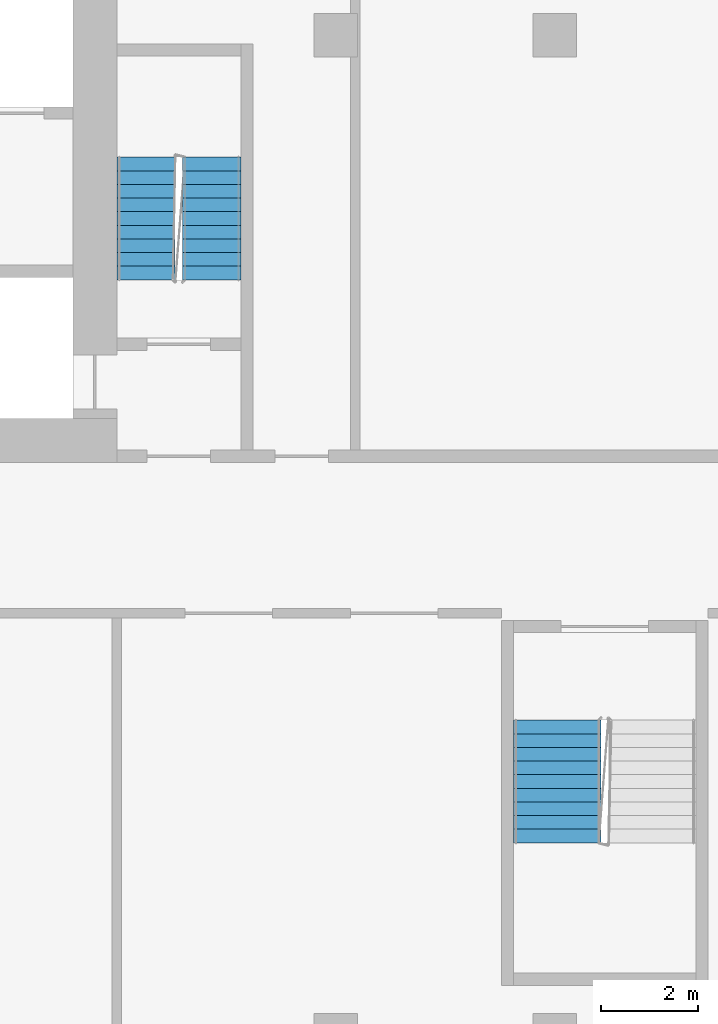
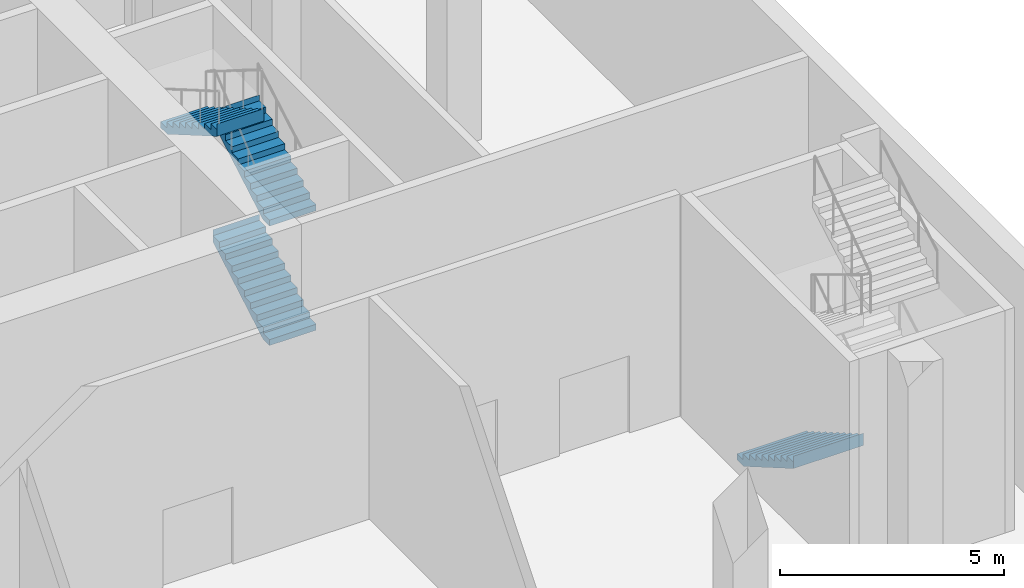
# One storey, part 19 of 24: 4 stair flights, 2 elements without a shape of their own.
"""IFC4 building model written with IfcOpenShell, lengths in metres."""

from ifc_helpers import new_model, si_unit, direction, frame, origin, place, context, subcontext, project, spatial, faceted_brep, material, type_object, element, aggregate, save


model = new_model("IFC4")

# Units and contexts
model_context = context("Model", 3, precision=1e-05, world=origin(), true_north=direction((0.0, 1.0)))
body_context = subcontext(model_context, "Body", "Model", "MODEL_VIEW")
ifc_project = project(units=[si_unit("LENGTHUNIT", "METRE"), si_unit("AREAUNIT", "SQUARE_METRE"), si_unit("VOLUMEUNIT", "CUBIC_METRE"), si_unit("PLANEANGLEUNIT", "RADIAN"), si_unit("MASSUNIT", "GRAM", prefix="KILO")], contexts=[model_context])

# Site, building, storey
site_placement = place(None, origin())
site = spatial("IfcSite", under=ifc_project, at=site_placement, CompositionType="ELEMENT")
building_placement = place(site_placement, origin())
building = spatial("IfcBuilding", under=site, at=building_placement, Name="Kajstack Hotel Tower", CompositionType="ELEMENT")
storey_placement = place(building_placement, frame((0.0, 0.0, 17.0)))
storey = spatial("IfcBuildingStorey", under=building, at=storey_placement, Name="L02", CompositionType="ELEMENT", Elevation=17.0)

# Stair, stair flight
ifc_material = material(Name="Concrete C40/50", Category="concrete")
stair_type_1 = type_object("IfcStairType", Name="Escape stair 1800", PredefinedType="HALF_TURN_STAIR", material=ifc_material)
stair_1_placement = place(storey_placement, origin())
stair_1 = element("IfcStair", 1, at=stair_1_placement, inside=storey, type_object=stair_type_1, Name="L02 stair P2", PredefinedType="HALF_TURN_STAIR")
stair_flight_type_1 = type_object("IfcStairFlightType", Name="Escape stair flight 1800", PredefinedType="STRAIGHT", material=ifc_material)
stair_flight_1_placement = place(storey_placement, frame((40.550048828125, -3.800048828125, 0.0), z_axis=(0.0, 0.0, 1.0), x_axis=(0.0, -1.0, 0.0)))
stair_flight_1 = element("IfcStairFlight", 2, at=stair_flight_1_placement, type_object=stair_flight_type_1, Name="P2 flight 1", NumberOfRisers=10, NumberOfTreads=9, PredefinedType="STRAIGHT", RiserHeight=0.1625, TreadLength=0.28, context=body_context, shape_type="Brep", body=[
    faceted_brep([(0.299072265625, -0.89990234375, 0.0), (2.5205078125, -0.89990234375, 1.2890625), (2.5205078125, -0.89990234375, 1.625), (2.52001953125, -0.89990234375, 1.625), (2.52001953125, -0.89990234375, 1.46240234375), (2.239990234375, -0.89990234375, 1.46240234375), (2.239990234375, -0.89990234375, 1.300048828125), (1.9599609375, -0.89990234375, 1.300048828125), (1.9599609375, -0.89990234375, 1.137451171875), (1.679931640625, -0.89990234375, 1.137451171875), (1.679931640625, -0.89990234375, 0.97509765625), (1.39990234375, -0.89990234375, 0.97509765625), (1.39990234375, -0.89990234375, 0.8125), (1.1201171875, -0.89990234375, 0.8125), (1.1201171875, -0.89990234375, 0.64990234375), (0.840087890625, -0.89990234375, 0.64990234375), (0.840087890625, -0.89990234375, 0.487548828125), (0.56005859375, -0.89990234375, 0.487548828125), (0.56005859375, -0.89990234375, 0.324951171875), (0.280029296875, -0.89990234375, 0.324951171875), (0.280029296875, -0.89990234375, 0.16259765625), (-0.00048828125, -0.89990234375, 0.16259765625), (-0.00048828125, -0.89990234375, 0.0), (-0.00048828125, 0.89990234375, 0.0), (-0.00048828125, 0.89990234375, 0.16259765625), (0.280029296875, 0.89990234375, 0.16259765625), (0.280029296875, 0.89990234375, 0.324951171875), (0.56005859375, 0.89990234375, 0.324951171875), (0.56005859375, 0.89990234375, 0.487548828125), (0.840087890625, 0.89990234375, 0.487548828125), (0.840087890625, 0.89990234375, 0.64990234375), (1.1201171875, 0.89990234375, 0.64990234375), (1.1201171875, 0.89990234375, 0.8125), (1.39990234375, 0.89990234375, 0.8125), (1.39990234375, 0.89990234375, 0.97509765625), (1.679931640625, 0.89990234375, 0.97509765625), (1.679931640625, 0.89990234375, 1.137451171875), (1.9599609375, 0.89990234375, 1.137451171875), (1.9599609375, 0.89990234375, 1.300048828125), (2.239990234375, 0.89990234375, 1.300048828125), (2.239990234375, 0.89990234375, 1.46240234375), (2.52001953125, 0.89990234375, 1.46240234375), (2.52001953125, 0.89990234375, 1.625), (2.5205078125, 0.89990234375, 1.625), (2.5205078125, 0.89990234375, 1.2890625), (0.299072265625, 0.89990234375, 0.0), (-0.00048828125, -0.449951171875, 0.16259765625), (-0.00048828125, 0.0, 0.16259765625), (-0.00048828125, 0.449951171875, 0.16259765625), (-0.00048828125, 0.449951171875, 0.0), (-0.00048828125, 0.0, 0.0), (-0.00048828125, -0.449951171875, 0.0), (0.280029296875, -0.449951171875, 0.16259765625), (0.280029296875, 0.0, 0.16259765625), (0.280029296875, 0.449951171875, 0.16259765625), (0.280029296875, -0.449951171875, 0.324951171875), (0.280029296875, 0.0, 0.324951171875), (0.280029296875, 0.449951171875, 0.324951171875), (0.56005859375, -0.449951171875, 0.324951171875), (0.56005859375, 0.0, 0.324951171875), (0.56005859375, 0.449951171875, 0.324951171875), (0.56005859375, -0.449951171875, 0.487548828125), (0.56005859375, 0.0, 0.487548828125), (0.56005859375, 0.449951171875, 0.487548828125), (0.840087890625, -0.449951171875, 0.487548828125), (0.840087890625, 0.0, 0.487548828125), (0.840087890625, 0.449951171875, 0.487548828125), (0.840087890625, -0.449951171875, 0.64990234375), (0.840087890625, 0.0, 0.64990234375), (0.840087890625, 0.449951171875, 0.64990234375), (1.1201171875, -0.449951171875, 0.64990234375), (1.1201171875, 0.0, 0.64990234375), (1.1201171875, 0.449951171875, 0.64990234375), (1.1201171875, -0.449951171875, 0.8125), (1.1201171875, 0.0, 0.8125), (1.1201171875, 0.449951171875, 0.8125), (1.39990234375, -0.449951171875, 0.8125), (1.39990234375, 0.0, 0.8125), (1.39990234375, 0.449951171875, 0.8125), (1.39990234375, -0.449951171875, 0.97509765625), (1.39990234375, 0.0, 0.97509765625), (1.39990234375, 0.449951171875, 0.97509765625), (1.679931640625, -0.449951171875, 0.97509765625), (1.679931640625, 0.0, 0.97509765625), (1.679931640625, 0.449951171875, 0.97509765625), (1.679931640625, -0.449951171875, 1.137451171875), (1.679931640625, 0.0, 1.137451171875), (1.679931640625, 0.449951171875, 1.137451171875), (1.9599609375, -0.449951171875, 1.137451171875), (1.9599609375, 0.0, 1.137451171875), (1.9599609375, 0.449951171875, 1.137451171875), (1.9599609375, -0.449951171875, 1.300048828125), (1.9599609375, 0.0, 1.300048828125), (1.9599609375, 0.449951171875, 1.300048828125), (2.239990234375, -0.449951171875, 1.300048828125), (2.239990234375, 0.0, 1.300048828125), (2.239990234375, 0.449951171875, 1.300048828125), (2.239990234375, -0.449951171875, 1.46240234375), (2.239990234375, 0.0, 1.46240234375), (2.239990234375, 0.449951171875, 1.46240234375), (2.52001953125, -0.449951171875, 1.46240234375), (2.52001953125, 0.0, 1.46240234375), (2.52001953125, 0.449951171875, 1.46240234375), (2.52001953125, -0.449951171875, 1.625), (2.52001953125, 0.0, 1.625), (2.52001953125, 0.449951171875, 1.625), (2.5205078125, -0.449951171875, 1.625), (2.5205078125, 0.0, 1.625), (2.5205078125, 0.449951171875, 1.625), (2.5205078125, -0.449951171875, 1.2890625), (2.5205078125, 0.0, 1.2890625), (2.5205078125, 0.449951171875, 1.2890625), (0.299072265625, -0.449951171875, 0.0), (0.299072265625, 0.0, 0.0), (0.299072265625, 0.449951171875, 0.0)], [[[0, 1, 2, 3, 4, 5, 6, 7, 8, 9, 10, 11, 12, 13, 14, 15, 16, 17, 18, 19, 20, 21, 22]], [[23, 24, 25, 26, 27, 28, 29, 30, 31, 32, 33, 34, 35, 36, 37, 38, 39, 40, 41, 42, 43, 44, 45]], [[21, 46, 47, 48, 24, 23, 49, 50, 51, 22]], [[20, 52, 53, 54, 25, 24, 48, 47, 46, 21]], [[19, 55, 56, 57, 26, 25, 54, 53, 52, 20]], [[18, 58, 59, 60, 27, 26, 57, 56, 55, 19]], [[17, 61, 62, 63, 28, 27, 60, 59, 58, 18]], [[16, 64, 65, 66, 29, 28, 63, 62, 61, 17]], [[15, 67, 68, 69, 30, 29, 66, 65, 64, 16]], [[14, 70, 71, 72, 31, 30, 69, 68, 67, 15]], [[13, 73, 74, 75, 32, 31, 72, 71, 70, 14]], [[12, 76, 77, 78, 33, 32, 75, 74, 73, 13]], [[11, 79, 80, 81, 34, 33, 78, 77, 76, 12]], [[10, 82, 83, 84, 35, 34, 81, 80, 79, 11]], [[9, 85, 86, 87, 36, 35, 84, 83, 82, 10]], [[8, 88, 89, 90, 37, 36, 87, 86, 85, 9]], [[7, 91, 92, 93, 38, 37, 90, 89, 88, 8]], [[6, 94, 95, 96, 39, 38, 93, 92, 91, 7]], [[5, 97, 98, 99, 40, 39, 96, 95, 94, 6]], [[4, 100, 101, 102, 41, 40, 99, 98, 97, 5]], [[3, 103, 104, 105, 42, 41, 102, 101, 100, 4]], [[2, 106, 107, 108, 43, 42, 105, 104, 103, 3]], [[1, 109, 110, 111, 44, 43, 108, 107, 106, 2]], [[0, 112, 113, 114, 45, 44, 111, 110, 109, 1]], [[22, 51, 50, 49, 23, 45, 114, 113, 112, 0]]]),
])
aggregate(stair_1, [stair_flight_1])

# Stair, stair flights
stair_type_2 = type_object("IfcStairType", Name="Exit stair 1200", PredefinedType="HALF_TURN_STAIR", material=ifc_material)
stair_2_placement = place(storey_placement, origin())
stair_2 = element("IfcStair", 3, at=stair_2_placement, inside=storey, type_object=stair_type_2, Name="L02 stair E1", PredefinedType="HALF_TURN_STAIR")
stair_flight_type_2 = type_object("IfcStairFlightType", Name="Exit stair flight 1200", PredefinedType="STRAIGHT", material=ifc_material)
stair_flight_2_placement = place(storey_placement, frame((33.449951171875, 5.25, 0.0), z_axis=(0.0, 0.0, 1.0), x_axis=(0.0, 1.0, 0.0)))
stair_flight_2 = element("IfcStairFlight", 4, at=stair_flight_2_placement, type_object=stair_flight_type_2, Name="E1 flight 1", NumberOfRisers=10, NumberOfTreads=9, PredefinedType="STRAIGHT", RiserHeight=0.1625, TreadLength=0.28, context=body_context, shape_type="Brep", body=[
    faceted_brep([(0.299072265625, -0.60009765625, 0.0), (2.5205078125, -0.60009765625, 1.2890625), (2.5205078125, -0.60009765625, 1.625), (2.52001953125, -0.60009765625, 1.625), (2.52001953125, -0.60009765625, 1.46240234375), (2.239990234375, -0.60009765625, 1.46240234375), (2.239990234375, -0.60009765625, 1.300048828125), (1.9599609375, -0.60009765625, 1.300048828125), (1.9599609375, -0.60009765625, 1.137451171875), (1.679931640625, -0.60009765625, 1.137451171875), (1.679931640625, -0.60009765625, 0.97509765625), (1.39990234375, -0.60009765625, 0.97509765625), (1.39990234375, -0.60009765625, 0.8125), (1.1201171875, -0.60009765625, 0.8125), (1.1201171875, -0.60009765625, 0.64990234375), (0.840087890625, -0.60009765625, 0.64990234375), (0.840087890625, -0.60009765625, 0.487548828125), (0.56005859375, -0.60009765625, 0.487548828125), (0.56005859375, -0.60009765625, 0.324951171875), (0.280029296875, -0.60009765625, 0.324951171875), (0.280029296875, -0.60009765625, 0.16259765625), (-0.00048828125, -0.60009765625, 0.16259765625), (-0.00048828125, -0.60009765625, 0.0), (-0.00048828125, 0.60009765625, 0.0), (-0.00048828125, 0.60009765625, 0.16259765625), (0.280029296875, 0.60009765625, 0.16259765625), (0.280029296875, 0.60009765625, 0.324951171875), (0.56005859375, 0.60009765625, 0.324951171875), (0.56005859375, 0.60009765625, 0.487548828125), (0.840087890625, 0.60009765625, 0.487548828125), (0.840087890625, 0.60009765625, 0.64990234375), (1.1201171875, 0.60009765625, 0.64990234375), (1.1201171875, 0.60009765625, 0.8125), (1.39990234375, 0.60009765625, 0.8125), (1.39990234375, 0.60009765625, 0.97509765625), (1.679931640625, 0.60009765625, 0.97509765625), (1.679931640625, 0.60009765625, 1.137451171875), (1.9599609375, 0.60009765625, 1.137451171875), (1.9599609375, 0.60009765625, 1.300048828125), (2.239990234375, 0.60009765625, 1.300048828125), (2.239990234375, 0.60009765625, 1.46240234375), (2.52001953125, 0.60009765625, 1.46240234375), (2.52001953125, 0.60009765625, 1.625), (2.5205078125, 0.60009765625, 1.625), (2.5205078125, 0.60009765625, 1.2890625), (0.299072265625, 0.60009765625, 0.0), (-0.00048828125, -0.300048828125, 0.16259765625), (-0.00048828125, 0.0, 0.16259765625), (-0.00048828125, 0.300048828125, 0.16259765625), (-0.00048828125, 0.300048828125, 0.0), (-0.00048828125, 0.0, 0.0), (-0.00048828125, -0.300048828125, 0.0), (0.280029296875, -0.300048828125, 0.16259765625), (0.280029296875, 0.0, 0.16259765625), (0.280029296875, 0.300048828125, 0.16259765625), (0.280029296875, -0.300048828125, 0.324951171875), (0.280029296875, 0.0, 0.324951171875), (0.280029296875, 0.300048828125, 0.324951171875), (0.56005859375, -0.300048828125, 0.324951171875), (0.56005859375, 0.0, 0.324951171875), (0.56005859375, 0.300048828125, 0.324951171875), (0.56005859375, -0.300048828125, 0.487548828125), (0.56005859375, 0.0, 0.487548828125), (0.56005859375, 0.300048828125, 0.487548828125), (0.840087890625, -0.300048828125, 0.487548828125), (0.840087890625, 0.0, 0.487548828125), (0.840087890625, 0.300048828125, 0.487548828125), (0.840087890625, -0.300048828125, 0.64990234375), (0.840087890625, 0.0, 0.64990234375), (0.840087890625, 0.300048828125, 0.64990234375), (1.1201171875, -0.300048828125, 0.64990234375), (1.1201171875, 0.0, 0.64990234375), (1.1201171875, 0.300048828125, 0.64990234375), (1.1201171875, -0.300048828125, 0.8125), (1.1201171875, 0.0, 0.8125), (1.1201171875, 0.300048828125, 0.8125), (1.39990234375, -0.300048828125, 0.8125), (1.39990234375, 0.0, 0.8125), (1.39990234375, 0.300048828125, 0.8125), (1.39990234375, -0.300048828125, 0.97509765625), (1.39990234375, 0.0, 0.97509765625), (1.39990234375, 0.300048828125, 0.97509765625), (1.679931640625, -0.300048828125, 0.97509765625), (1.679931640625, 0.0, 0.97509765625), (1.679931640625, 0.300048828125, 0.97509765625), (1.679931640625, -0.300048828125, 1.137451171875), (1.679931640625, 0.0, 1.137451171875), (1.679931640625, 0.300048828125, 1.137451171875), (1.9599609375, -0.300048828125, 1.137451171875), (1.9599609375, 0.0, 1.137451171875), (1.9599609375, 0.300048828125, 1.137451171875), (1.9599609375, -0.300048828125, 1.300048828125), (1.9599609375, 0.0, 1.300048828125), (1.9599609375, 0.300048828125, 1.300048828125), (2.239990234375, -0.300048828125, 1.300048828125), (2.239990234375, 0.0, 1.300048828125), (2.239990234375, 0.300048828125, 1.300048828125), (2.239990234375, -0.300048828125, 1.46240234375), (2.239990234375, 0.0, 1.46240234375), (2.239990234375, 0.300048828125, 1.46240234375), (2.52001953125, -0.300048828125, 1.46240234375), (2.52001953125, 0.0, 1.46240234375), (2.52001953125, 0.300048828125, 1.46240234375), (2.52001953125, -0.300048828125, 1.625), (2.52001953125, 0.0, 1.625), (2.52001953125, 0.300048828125, 1.625), (2.5205078125, -0.300048828125, 1.625), (2.5205078125, 0.0, 1.625), (2.5205078125, 0.300048828125, 1.625), (2.5205078125, -0.300048828125, 1.2890625), (2.5205078125, 0.0, 1.2890625), (2.5205078125, 0.300048828125, 1.2890625), (0.299072265625, -0.300048828125, 0.0), (0.299072265625, 0.0, 0.0), (0.299072265625, 0.300048828125, 0.0)], [[[0, 1, 2, 3, 4, 5, 6, 7, 8, 9, 10, 11, 12, 13, 14, 15, 16, 17, 18, 19, 20, 21, 22]], [[23, 24, 25, 26, 27, 28, 29, 30, 31, 32, 33, 34, 35, 36, 37, 38, 39, 40, 41, 42, 43, 44, 45]], [[21, 46, 47, 48, 24, 23, 49, 50, 51, 22]], [[20, 52, 53, 54, 25, 24, 48, 47, 46, 21]], [[19, 55, 56, 57, 26, 25, 54, 53, 52, 20]], [[18, 58, 59, 60, 27, 26, 57, 56, 55, 19]], [[17, 61, 62, 63, 28, 27, 60, 59, 58, 18]], [[16, 64, 65, 66, 29, 28, 63, 62, 61, 17]], [[15, 67, 68, 69, 30, 29, 66, 65, 64, 16]], [[14, 70, 71, 72, 31, 30, 69, 68, 67, 15]], [[13, 73, 74, 75, 32, 31, 72, 71, 70, 14]], [[12, 76, 77, 78, 33, 32, 75, 74, 73, 13]], [[11, 79, 80, 81, 34, 33, 78, 77, 76, 12]], [[10, 82, 83, 84, 35, 34, 81, 80, 79, 11]], [[9, 85, 86, 87, 36, 35, 84, 83, 82, 10]], [[8, 88, 89, 90, 37, 36, 87, 86, 85, 9]], [[7, 91, 92, 93, 38, 37, 90, 89, 88, 8]], [[6, 94, 95, 96, 39, 38, 93, 92, 91, 7]], [[5, 97, 98, 99, 40, 39, 96, 95, 94, 6]], [[4, 100, 101, 102, 41, 40, 99, 98, 97, 5]], [[3, 103, 104, 105, 42, 41, 102, 101, 100, 4]], [[2, 106, 107, 108, 43, 42, 105, 104, 103, 3]], [[1, 109, 110, 111, 44, 43, 108, 107, 106, 2]], [[0, 112, 113, 114, 45, 44, 111, 110, 109, 1]], [[22, 51, 50, 49, 23, 45, 114, 113, 112, 0]]]),
])
stair_flight_3_placement = place(storey_placement, frame((33.449951171875, 5.25, 3.25), z_axis=(0.0, 0.0, 1.0), x_axis=(0.0, 1.0, 0.0)))
stair_flight_3 = element("IfcStairFlight", 5, at=stair_flight_3_placement, type_object=stair_flight_type_2, Name="E1 flight 3", NumberOfRisers=10, NumberOfTreads=9, PredefinedType="STRAIGHT", RiserHeight=0.1625, TreadLength=0.28, context=body_context, shape_type="Brep", body=[
    faceted_brep([(0.299072265625, -0.60009765625, 0.0), (2.5205078125, -0.60009765625, 1.2890625), (2.5205078125, -0.60009765625, 1.625), (2.52001953125, -0.60009765625, 1.625), (2.52001953125, -0.60009765625, 1.46240234375), (2.239990234375, -0.60009765625, 1.46240234375), (2.239990234375, -0.60009765625, 1.300048828125), (1.9599609375, -0.60009765625, 1.300048828125), (1.9599609375, -0.60009765625, 1.137451171875), (1.679931640625, -0.60009765625, 1.137451171875), (1.679931640625, -0.60009765625, 0.97509765625), (1.39990234375, -0.60009765625, 0.97509765625), (1.39990234375, -0.60009765625, 0.8125), (1.1201171875, -0.60009765625, 0.8125), (1.1201171875, -0.60009765625, 0.64990234375), (0.840087890625, -0.60009765625, 0.64990234375), (0.840087890625, -0.60009765625, 0.487548828125), (0.56005859375, -0.60009765625, 0.487548828125), (0.56005859375, -0.60009765625, 0.324951171875), (0.280029296875, -0.60009765625, 0.324951171875), (0.280029296875, -0.60009765625, 0.16259765625), (-0.00048828125, -0.60009765625, 0.16259765625), (-0.00048828125, -0.60009765625, 0.0), (-0.00048828125, 0.60009765625, 0.0), (-0.00048828125, 0.60009765625, 0.16259765625), (0.280029296875, 0.60009765625, 0.16259765625), (0.280029296875, 0.60009765625, 0.324951171875), (0.56005859375, 0.60009765625, 0.324951171875), (0.56005859375, 0.60009765625, 0.487548828125), (0.840087890625, 0.60009765625, 0.487548828125), (0.840087890625, 0.60009765625, 0.64990234375), (1.1201171875, 0.60009765625, 0.64990234375), (1.1201171875, 0.60009765625, 0.8125), (1.39990234375, 0.60009765625, 0.8125), (1.39990234375, 0.60009765625, 0.97509765625), (1.679931640625, 0.60009765625, 0.97509765625), (1.679931640625, 0.60009765625, 1.137451171875), (1.9599609375, 0.60009765625, 1.137451171875), (1.9599609375, 0.60009765625, 1.300048828125), (2.239990234375, 0.60009765625, 1.300048828125), (2.239990234375, 0.60009765625, 1.46240234375), (2.52001953125, 0.60009765625, 1.46240234375), (2.52001953125, 0.60009765625, 1.625), (2.5205078125, 0.60009765625, 1.625), (2.5205078125, 0.60009765625, 1.2890625), (0.299072265625, 0.60009765625, 0.0), (-0.00048828125, -0.300048828125, 0.16259765625), (-0.00048828125, 0.0, 0.16259765625), (-0.00048828125, 0.300048828125, 0.16259765625), (-0.00048828125, 0.300048828125, 0.0), (-0.00048828125, 0.0, 0.0), (-0.00048828125, -0.300048828125, 0.0), (0.280029296875, -0.300048828125, 0.16259765625), (0.280029296875, 0.0, 0.16259765625), (0.280029296875, 0.300048828125, 0.16259765625), (0.280029296875, -0.300048828125, 0.324951171875), (0.280029296875, 0.0, 0.324951171875), (0.280029296875, 0.300048828125, 0.324951171875), (0.56005859375, -0.300048828125, 0.324951171875), (0.56005859375, 0.0, 0.324951171875), (0.56005859375, 0.300048828125, 0.324951171875), (0.56005859375, -0.300048828125, 0.487548828125), (0.56005859375, 0.0, 0.487548828125), (0.56005859375, 0.300048828125, 0.487548828125), (0.840087890625, -0.300048828125, 0.487548828125), (0.840087890625, 0.0, 0.487548828125), (0.840087890625, 0.300048828125, 0.487548828125), (0.840087890625, -0.300048828125, 0.64990234375), (0.840087890625, 0.0, 0.64990234375), (0.840087890625, 0.300048828125, 0.64990234375), (1.1201171875, -0.300048828125, 0.64990234375), (1.1201171875, 0.0, 0.64990234375), (1.1201171875, 0.300048828125, 0.64990234375), (1.1201171875, -0.300048828125, 0.8125), (1.1201171875, 0.0, 0.8125), (1.1201171875, 0.300048828125, 0.8125), (1.39990234375, -0.300048828125, 0.8125), (1.39990234375, 0.0, 0.8125), (1.39990234375, 0.300048828125, 0.8125), (1.39990234375, -0.300048828125, 0.97509765625), (1.39990234375, 0.0, 0.97509765625), (1.39990234375, 0.300048828125, 0.97509765625), (1.679931640625, -0.300048828125, 0.97509765625), (1.679931640625, 0.0, 0.97509765625), (1.679931640625, 0.300048828125, 0.97509765625), (1.679931640625, -0.300048828125, 1.137451171875), (1.679931640625, 0.0, 1.137451171875), (1.679931640625, 0.300048828125, 1.137451171875), (1.9599609375, -0.300048828125, 1.137451171875), (1.9599609375, 0.0, 1.137451171875), (1.9599609375, 0.300048828125, 1.137451171875), (1.9599609375, -0.300048828125, 1.300048828125), (1.9599609375, 0.0, 1.300048828125), (1.9599609375, 0.300048828125, 1.300048828125), (2.239990234375, -0.300048828125, 1.300048828125), (2.239990234375, 0.0, 1.300048828125), (2.239990234375, 0.300048828125, 1.300048828125), (2.239990234375, -0.300048828125, 1.46240234375), (2.239990234375, 0.0, 1.46240234375), (2.239990234375, 0.300048828125, 1.46240234375), (2.52001953125, -0.300048828125, 1.46240234375), (2.52001953125, 0.0, 1.46240234375), (2.52001953125, 0.300048828125, 1.46240234375), (2.52001953125, -0.300048828125, 1.625), (2.52001953125, 0.0, 1.625), (2.52001953125, 0.300048828125, 1.625), (2.5205078125, -0.300048828125, 1.625), (2.5205078125, 0.0, 1.625), (2.5205078125, 0.300048828125, 1.625), (2.5205078125, -0.300048828125, 1.2890625), (2.5205078125, 0.0, 1.2890625), (2.5205078125, 0.300048828125, 1.2890625), (0.299072265625, -0.300048828125, 0.0), (0.299072265625, 0.0, 0.0), (0.299072265625, 0.300048828125, 0.0)], [[[0, 1, 2, 3, 4, 5, 6, 7, 8, 9, 10, 11, 12, 13, 14, 15, 16, 17, 18, 19, 20, 21, 22]], [[23, 24, 25, 26, 27, 28, 29, 30, 31, 32, 33, 34, 35, 36, 37, 38, 39, 40, 41, 42, 43, 44, 45]], [[21, 46, 47, 48, 24, 23, 49, 50, 51, 22]], [[20, 52, 53, 54, 25, 24, 48, 47, 46, 21]], [[19, 55, 56, 57, 26, 25, 54, 53, 52, 20]], [[18, 58, 59, 60, 27, 26, 57, 56, 55, 19]], [[17, 61, 62, 63, 28, 27, 60, 59, 58, 18]], [[16, 64, 65, 66, 29, 28, 63, 62, 61, 17]], [[15, 67, 68, 69, 30, 29, 66, 65, 64, 16]], [[14, 70, 71, 72, 31, 30, 69, 68, 67, 15]], [[13, 73, 74, 75, 32, 31, 72, 71, 70, 14]], [[12, 76, 77, 78, 33, 32, 75, 74, 73, 13]], [[11, 79, 80, 81, 34, 33, 78, 77, 76, 12]], [[10, 82, 83, 84, 35, 34, 81, 80, 79, 11]], [[9, 85, 86, 87, 36, 35, 84, 83, 82, 10]], [[8, 88, 89, 90, 37, 36, 87, 86, 85, 9]], [[7, 91, 92, 93, 38, 37, 90, 89, 88, 8]], [[6, 94, 95, 96, 39, 38, 93, 92, 91, 7]], [[5, 97, 98, 99, 40, 39, 96, 95, 94, 6]], [[4, 100, 101, 102, 41, 40, 99, 98, 97, 5]], [[3, 103, 104, 105, 42, 41, 102, 101, 100, 4]], [[2, 106, 107, 108, 43, 42, 105, 104, 103, 3]], [[1, 109, 110, 111, 44, 43, 108, 107, 106, 2]], [[0, 112, 113, 114, 45, 44, 111, 110, 109, 1]], [[22, 51, 50, 49, 23, 45, 114, 113, 112, 0]]]),
])
stair_flight_4_placement = place(storey_placement, frame((32.10009765625, 7.77001953125, 4.875), z_axis=(0.0, 0.0, 1.0), x_axis=(0.0, -1.0, 0.0)))
stair_flight_4 = element("IfcStairFlight", 6, at=stair_flight_4_placement, type_object=stair_flight_type_2, Name="E1 flight 4", NumberOfRisers=10, NumberOfTreads=9, PredefinedType="STRAIGHT", RiserHeight=0.1625, TreadLength=0.28, context=body_context, shape_type="Brep", body=[
    faceted_brep([(0.299072265625, -0.60009765625, 0.0), (2.5205078125, -0.60009765625, 1.2890625), (2.5205078125, -0.60009765625, 1.625), (2.52001953125, -0.60009765625, 1.625), (2.52001953125, -0.60009765625, 1.46240234375), (2.239990234375, -0.60009765625, 1.46240234375), (2.239990234375, -0.60009765625, 1.300048828125), (1.9599609375, -0.60009765625, 1.300048828125), (1.9599609375, -0.60009765625, 1.137451171875), (1.679931640625, -0.60009765625, 1.137451171875), (1.679931640625, -0.60009765625, 0.97509765625), (1.39990234375, -0.60009765625, 0.97509765625), (1.39990234375, -0.60009765625, 0.8125), (1.1201171875, -0.60009765625, 0.8125), (1.1201171875, -0.60009765625, 0.64990234375), (0.840087890625, -0.60009765625, 0.64990234375), (0.840087890625, -0.60009765625, 0.487548828125), (0.56005859375, -0.60009765625, 0.487548828125), (0.56005859375, -0.60009765625, 0.324951171875), (0.280029296875, -0.60009765625, 0.324951171875), (0.280029296875, -0.60009765625, 0.16259765625), (-0.00048828125, -0.60009765625, 0.16259765625), (-0.00048828125, -0.60009765625, 0.0), (-0.00048828125, 0.60009765625, 0.0), (-0.00048828125, 0.60009765625, 0.16259765625), (0.280029296875, 0.60009765625, 0.16259765625), (0.280029296875, 0.60009765625, 0.324951171875), (0.56005859375, 0.60009765625, 0.324951171875), (0.56005859375, 0.60009765625, 0.487548828125), (0.840087890625, 0.60009765625, 0.487548828125), (0.840087890625, 0.60009765625, 0.64990234375), (1.1201171875, 0.60009765625, 0.64990234375), (1.1201171875, 0.60009765625, 0.8125), (1.39990234375, 0.60009765625, 0.8125), (1.39990234375, 0.60009765625, 0.97509765625), (1.679931640625, 0.60009765625, 0.97509765625), (1.679931640625, 0.60009765625, 1.137451171875), (1.9599609375, 0.60009765625, 1.137451171875), (1.9599609375, 0.60009765625, 1.300048828125), (2.239990234375, 0.60009765625, 1.300048828125), (2.239990234375, 0.60009765625, 1.46240234375), (2.52001953125, 0.60009765625, 1.46240234375), (2.52001953125, 0.60009765625, 1.625), (2.5205078125, 0.60009765625, 1.625), (2.5205078125, 0.60009765625, 1.2890625), (0.299072265625, 0.60009765625, 0.0), (-0.00048828125, -0.300048828125, 0.16259765625), (-0.00048828125, 0.0, 0.16259765625), (-0.00048828125, 0.300048828125, 0.16259765625), (-0.00048828125, 0.300048828125, 0.0), (-0.00048828125, 0.0, 0.0), (-0.00048828125, -0.300048828125, 0.0), (0.280029296875, -0.300048828125, 0.16259765625), (0.280029296875, 0.0, 0.16259765625), (0.280029296875, 0.300048828125, 0.16259765625), (0.280029296875, -0.300048828125, 0.324951171875), (0.280029296875, 0.0, 0.324951171875), (0.280029296875, 0.300048828125, 0.324951171875), (0.56005859375, -0.300048828125, 0.324951171875), (0.56005859375, 0.0, 0.324951171875), (0.56005859375, 0.300048828125, 0.324951171875), (0.56005859375, -0.300048828125, 0.487548828125), (0.56005859375, 0.0, 0.487548828125), (0.56005859375, 0.300048828125, 0.487548828125), (0.840087890625, -0.300048828125, 0.487548828125), (0.840087890625, 0.0, 0.487548828125), (0.840087890625, 0.300048828125, 0.487548828125), (0.840087890625, -0.300048828125, 0.64990234375), (0.840087890625, 0.0, 0.64990234375), (0.840087890625, 0.300048828125, 0.64990234375), (1.1201171875, -0.300048828125, 0.64990234375), (1.1201171875, 0.0, 0.64990234375), (1.1201171875, 0.300048828125, 0.64990234375), (1.1201171875, -0.300048828125, 0.8125), (1.1201171875, 0.0, 0.8125), (1.1201171875, 0.300048828125, 0.8125), (1.39990234375, -0.300048828125, 0.8125), (1.39990234375, 0.0, 0.8125), (1.39990234375, 0.300048828125, 0.8125), (1.39990234375, -0.300048828125, 0.97509765625), (1.39990234375, 0.0, 0.97509765625), (1.39990234375, 0.300048828125, 0.97509765625), (1.679931640625, -0.300048828125, 0.97509765625), (1.679931640625, 0.0, 0.97509765625), (1.679931640625, 0.300048828125, 0.97509765625), (1.679931640625, -0.300048828125, 1.137451171875), (1.679931640625, 0.0, 1.137451171875), (1.679931640625, 0.300048828125, 1.137451171875), (1.9599609375, -0.300048828125, 1.137451171875), (1.9599609375, 0.0, 1.137451171875), (1.9599609375, 0.300048828125, 1.137451171875), (1.9599609375, -0.300048828125, 1.300048828125), (1.9599609375, 0.0, 1.300048828125), (1.9599609375, 0.300048828125, 1.300048828125), (2.239990234375, -0.300048828125, 1.300048828125), (2.239990234375, 0.0, 1.300048828125), (2.239990234375, 0.300048828125, 1.300048828125), (2.239990234375, -0.300048828125, 1.46240234375), (2.239990234375, 0.0, 1.46240234375), (2.239990234375, 0.300048828125, 1.46240234375), (2.52001953125, -0.300048828125, 1.46240234375), (2.52001953125, 0.0, 1.46240234375), (2.52001953125, 0.300048828125, 1.46240234375), (2.52001953125, -0.300048828125, 1.625), (2.52001953125, 0.0, 1.625), (2.52001953125, 0.300048828125, 1.625), (2.5205078125, -0.300048828125, 1.625), (2.5205078125, 0.0, 1.625), (2.5205078125, 0.300048828125, 1.625), (2.5205078125, -0.300048828125, 1.2890625), (2.5205078125, 0.0, 1.2890625), (2.5205078125, 0.300048828125, 1.2890625), (0.299072265625, -0.300048828125, 0.0), (0.299072265625, 0.0, 0.0), (0.299072265625, 0.300048828125, 0.0)], [[[0, 1, 2, 3, 4, 5, 6, 7, 8, 9, 10, 11, 12, 13, 14, 15, 16, 17, 18, 19, 20, 21, 22]], [[23, 24, 25, 26, 27, 28, 29, 30, 31, 32, 33, 34, 35, 36, 37, 38, 39, 40, 41, 42, 43, 44, 45]], [[21, 46, 47, 48, 24, 23, 49, 50, 51, 22]], [[20, 52, 53, 54, 25, 24, 48, 47, 46, 21]], [[19, 55, 56, 57, 26, 25, 54, 53, 52, 20]], [[18, 58, 59, 60, 27, 26, 57, 56, 55, 19]], [[17, 61, 62, 63, 28, 27, 60, 59, 58, 18]], [[16, 64, 65, 66, 29, 28, 63, 62, 61, 17]], [[15, 67, 68, 69, 30, 29, 66, 65, 64, 16]], [[14, 70, 71, 72, 31, 30, 69, 68, 67, 15]], [[13, 73, 74, 75, 32, 31, 72, 71, 70, 14]], [[12, 76, 77, 78, 33, 32, 75, 74, 73, 13]], [[11, 79, 80, 81, 34, 33, 78, 77, 76, 12]], [[10, 82, 83, 84, 35, 34, 81, 80, 79, 11]], [[9, 85, 86, 87, 36, 35, 84, 83, 82, 10]], [[8, 88, 89, 90, 37, 36, 87, 86, 85, 9]], [[7, 91, 92, 93, 38, 37, 90, 89, 88, 8]], [[6, 94, 95, 96, 39, 38, 93, 92, 91, 7]], [[5, 97, 98, 99, 40, 39, 96, 95, 94, 6]], [[4, 100, 101, 102, 41, 40, 99, 98, 97, 5]], [[3, 103, 104, 105, 42, 41, 102, 101, 100, 4]], [[2, 106, 107, 108, 43, 42, 105, 104, 103, 3]], [[1, 109, 110, 111, 44, 43, 108, 107, 106, 2]], [[0, 112, 113, 114, 45, 44, 111, 110, 109, 1]], [[22, 51, 50, 49, 23, 45, 114, 113, 112, 0]]]),
])
aggregate(stair_2, [stair_flight_2, stair_flight_3, stair_flight_4])

save(model, "model.ifc")
